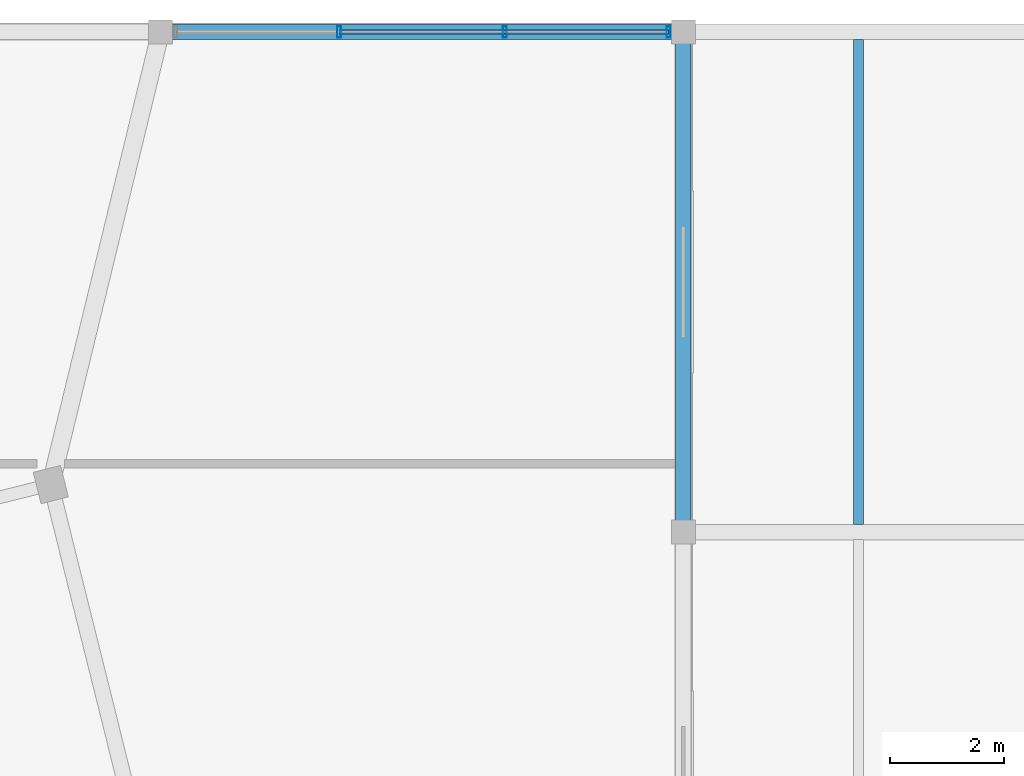
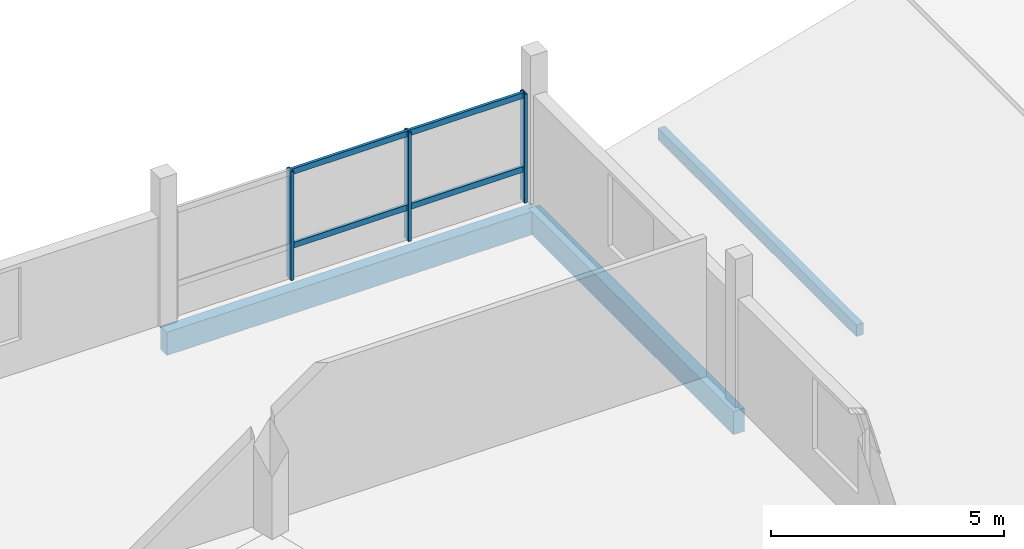
# One storey, part 37 of 47: 8 members, 2 beams, 1 element without a shape of its own.
"""IFC4 building model written with IfcOpenShell, lengths in metres."""

from ifc_helpers import new_model, si_unit, direction, frame, origin, origin_2d, place, context, subcontext, project, spatial, rectangle, hollow_rectangle, extrude, material, layer, layer_set, material_profile, profile_set, type_object, element, aggregate, save


model = new_model("IFC4")

# Units and contexts
model_context = context("Model", 3, precision=1e-05, world=origin(), true_north=direction((0.0, 1.0)))
body_context = subcontext(model_context, "Body", "Model", "MODEL_VIEW")
ifc_project = project(units=[si_unit("LENGTHUNIT", "METRE"), si_unit("AREAUNIT", "SQUARE_METRE"), si_unit("VOLUMEUNIT", "CUBIC_METRE"), si_unit("PLANEANGLEUNIT", "RADIAN"), si_unit("MASSUNIT", "GRAM", prefix="KILO")], contexts=[model_context])

# Site, building, storey
site_placement = place(None, origin())
site = spatial("IfcSite", under=ifc_project, at=site_placement, CompositionType="ELEMENT")
building_placement = place(site_placement, origin())
building = spatial("IfcBuilding", under=site, at=building_placement, Name="Meriwether Solvik Hall", CompositionType="ELEMENT")
storey_placement = place(building_placement, frame((0.0, 0.0, 18.300048828125)))
storey = spatial("IfcBuildingStorey", under=building, at=storey_placement, Name="L04", CompositionType="ELEMENT", Elevation=18.300048828125)

# Beams
ifc_material_1 = material(Name="Glulam Douglas-Fir 24F-V8 GL28h", Category="wood")
ifc_material_profile_1 = material_profile(ifc_material_1, rectangle(XDim=0.27294921875, YDim=0.610107421875, at=origin_2d()), Name="GLB-273X610")
ifc_profile_set_1 = profile_set([ifc_material_profile_1], Name="Glulam Douglas-Fir 24F-V8 GL28h")
beam_type = type_object("IfcBeamType", Name="BM-GL-273X610", PredefinedType="SPANDREL", material=ifc_profile_set_1)
beam_1_placement = place(storey_placement, frame((105.0, 92.800048828125, -0.550048828125), z_axis=(1.0, 0.0, 0.0), x_axis=(0.0, 1.0, 0.0)))
element("IfcBeam", 1, at=beam_1_placement, inside=storey, type_object=beam_type, Name="Podium Girder K:12-13 (L04)", PredefinedType="SPANDREL", context=body_context, shape_type="SweptSolid", body=[
    extrude(rectangle(XDim=0.27294921875, YDim=0.610107421875, at=origin_2d()), origin(), (0.0, 0.0, 1.0), 9.199951171875),
])
beam_2_placement = place(storey_placement, frame((114.199951171875, 84.0, -0.550048828125), z_axis=(0.0, 1.0, 0.0), x_axis=(-1.0, 0.0, 0.0)))
element("IfcBeam", 2, at=beam_2_placement, inside=storey, type_object=beam_type, Name="Podium Girder 13:J-K (L04)", PredefinedType="SPANDREL", context=body_context, shape_type="SweptSolid", body=[
    extrude(rectangle(XDim=0.27294921875, YDim=0.610107421875, at=origin_2d()), origin(), (0.0, 0.0, 1.0), 8.800048828125),
])

# Curtain wall, members
ifc_material_2 = material(Name="Thermally Broken Anodised Aluminium 6063-T6 and Low-E Glass", Category="aluminium")
ifc_layer = layer(ifc_material_2, 0.179931640625)
ifc_layer_set = layer_set([ifc_layer], Name="Thermally Broken Anodised Aluminium 6063-T6 and Low-E Glass")
curtain_wall_type = type_object("IfcCurtainWallType", Name="CW-UNIT-E", PredefinedType="USERDEFINED", material=ifc_layer_set)
curtain_wall_placement = place(storey_placement, origin())
curtain_wall = element("IfcCurtainWall", 3, at=curtain_wall_placement, inside=storey, type_object=curtain_wall_type, Name="Curtain Wall wing_XK_12_11 (L04)", ObjectType="UNITISED CURTAIN WALL", PredefinedType="USERDEFINED")
ifc_material_3 = material(Name="Anodised Aluminium 6063-T6", Category="aluminium")
ifc_material_profile_2 = material_profile(ifc_material_3, hollow_rectangle(XDim=0.070068359375, YDim=0.199951171875, WallThickness=0.0048828125, at=origin_2d()), Name="CWM-70X200")
ifc_profile_set_2 = profile_set([ifc_material_profile_2], Name="Anodised Aluminium 6063-T6")
member_type_1 = type_object("IfcMemberType", Name="CW-MUL-70X200", PredefinedType="MULLION", material=ifc_profile_set_2)
member_1_placement = place(storey_placement, frame((108.140625, 92.800048828125, 0.0), z_axis=(0.0, 0.0, 1.0), x_axis=(1.0, 0.0, 0.0)))
member_1 = element("IfcMember", 4, at=member_1_placement, type_object=member_type_1, Name="Curtain Wall Mullion 2", PredefinedType="MULLION", context=body_context, shape_type="SweptSolid", body=[
    extrude(hollow_rectangle(XDim=0.070068359375, YDim=0.199951171875, WallThickness=0.0048828125, at=origin_2d()), origin(), (0.0, 0.0, 1.0), 2.85498046875),
])
member_2_placement = place(storey_placement, frame((111.059326171875, 92.800048828125, 0.0), z_axis=(0.0, 0.0, 1.0), x_axis=(1.0, 0.0, 0.0)))
member_2 = element("IfcMember", 5, at=member_2_placement, type_object=member_type_1, Name="Curtain Wall Mullion 3", PredefinedType="MULLION", context=body_context, shape_type="SweptSolid", body=[
    extrude(hollow_rectangle(XDim=0.070068359375, YDim=0.199951171875, WallThickness=0.0048828125, at=origin_2d()), origin(), (0.0, 0.0, 1.0), 2.85498046875),
])
member_3_placement = place(storey_placement, frame((113.93994140625, 92.800048828125, 0.0), z_axis=(0.0, 0.0, 1.0), x_axis=(1.0, 0.0, 0.0)))
member_3 = element("IfcMember", 6, at=member_3_placement, type_object=member_type_1, Name="Curtain Wall Mullion 4", PredefinedType="MULLION", context=body_context, shape_type="SweptSolid", body=[
    extrude(hollow_rectangle(XDim=0.070068359375, YDim=0.199951171875, WallThickness=0.0048828125, at=origin_2d()), origin(), (0.0, 0.0, 1.0), 2.85498046875),
])
ifc_material_4 = material(Name="Anodised Aluminium 6063-T6", Category="aluminium")
ifc_material_profile_3 = material_profile(ifc_material_4, hollow_rectangle(XDim=0.070068359375, YDim=0.14990234375, WallThickness=0.0048828125, at=origin_2d()), Name="CWT-70X150")
ifc_profile_set_3 = profile_set([ifc_material_profile_3], Name="Anodised Aluminium 6063-T6")
member_type_2 = type_object("IfcMemberType", Name="CW-TRN-70X150", PredefinedType="USERDEFINED", material=ifc_profile_set_3)
member_4_placement = place(storey_placement, frame((108.140625, 92.800048828125, 0.8564453125), z_axis=(1.0, 0.0, 0.0), x_axis=(0.0, 1.0, 0.0)))
member_4 = element("IfcMember", 7, at=member_4_placement, type_object=member_type_2, Name="Curtain Wall Transom 2-sill", ObjectType="TRANSOM", PredefinedType="USERDEFINED", context=body_context, shape_type="SweptSolid", body=[
    extrude(hollow_rectangle(XDim=0.070068359375, YDim=0.14990234375, WallThickness=0.0048828125, at=origin_2d()), origin(), (0.0, 0.0, 1.0), 2.918701171875),
])
member_5_placement = place(storey_placement, frame((108.140625, 92.800048828125, 2.794921875), z_axis=(1.0, 0.0, 0.0), x_axis=(0.0, 1.0, 0.0)))
member_5 = element("IfcMember", 8, at=member_5_placement, type_object=member_type_2, Name="Curtain Wall Transom 2-head", ObjectType="TRANSOM", PredefinedType="USERDEFINED", context=body_context, shape_type="SweptSolid", body=[
    extrude(hollow_rectangle(XDim=0.070068359375, YDim=0.14990234375, WallThickness=0.0048828125, at=origin_2d()), origin(), (0.0, 0.0, 1.0), 2.918701171875),
])
member_6_placement = place(storey_placement, frame((111.059326171875, 92.800048828125, 0.8564453125), z_axis=(1.0, 0.0, 0.0), x_axis=(0.0, 1.0, 0.0)))
member_6 = element("IfcMember", 9, at=member_6_placement, type_object=member_type_2, Name="Curtain Wall Transom 3-sill", ObjectType="TRANSOM", PredefinedType="USERDEFINED", context=body_context, shape_type="SweptSolid", body=[
    extrude(hollow_rectangle(XDim=0.070068359375, YDim=0.14990234375, WallThickness=0.0048828125, at=origin_2d()), origin(), (0.0, 0.0, 1.0), 2.880615234375),
])
member_7_placement = place(storey_placement, frame((111.059326171875, 92.800048828125, 2.794921875), z_axis=(1.0, 0.0, 0.0), x_axis=(0.0, 1.0, 0.0)))
member_7 = element("IfcMember", 10, at=member_7_placement, type_object=member_type_2, Name="Curtain Wall Transom 3-head", ObjectType="TRANSOM", PredefinedType="USERDEFINED", context=body_context, shape_type="SweptSolid", body=[
    extrude(hollow_rectangle(XDim=0.070068359375, YDim=0.14990234375, WallThickness=0.0048828125, at=origin_2d()), origin(), (0.0, 0.0, 1.0), 2.880615234375),
])
aggregate(curtain_wall, [member_1, member_2, member_3, member_4, member_5, member_6, member_7])

# Member
ifc_material_5 = material(Name="Glulam Douglas-Fir 24F-V8 GL28h", Category="wood")
ifc_material_profile_4 = material_profile(ifc_material_5, rectangle(XDim=0.175048828125, YDim=0.304931640625, at=origin_2d()), Name="GLM-175X305")
ifc_profile_set_4 = profile_set([ifc_material_profile_4], Name="Glulam Douglas-Fir 24F-V8 GL28h")
member_type_3 = type_object("IfcMemberType", Name="MEM-PRL-GL175", PredefinedType="PURLIN", material=ifc_profile_set_4)
member_8_placement = place(storey_placement, frame((117.280029296875, 84.132568359375, 0.6962890625), z_axis=(0.0, 1.0, 0.0), x_axis=(-1.0, 0.0, 0.0)))
element("IfcMember", 11, at=member_8_placement, inside=storey, type_object=member_type_3, Name="Sloped Roof Glulam Purlin w3_fold_1w-5.1", PredefinedType="PURLIN", context=body_context, shape_type="SweptSolid", body=[
    extrude(rectangle(XDim=0.175048828125, YDim=0.304931640625, at=origin_2d()), origin(), (0.0, 0.0, 1.0), 8.534912109375),
])

save(model, "model.ifc")
